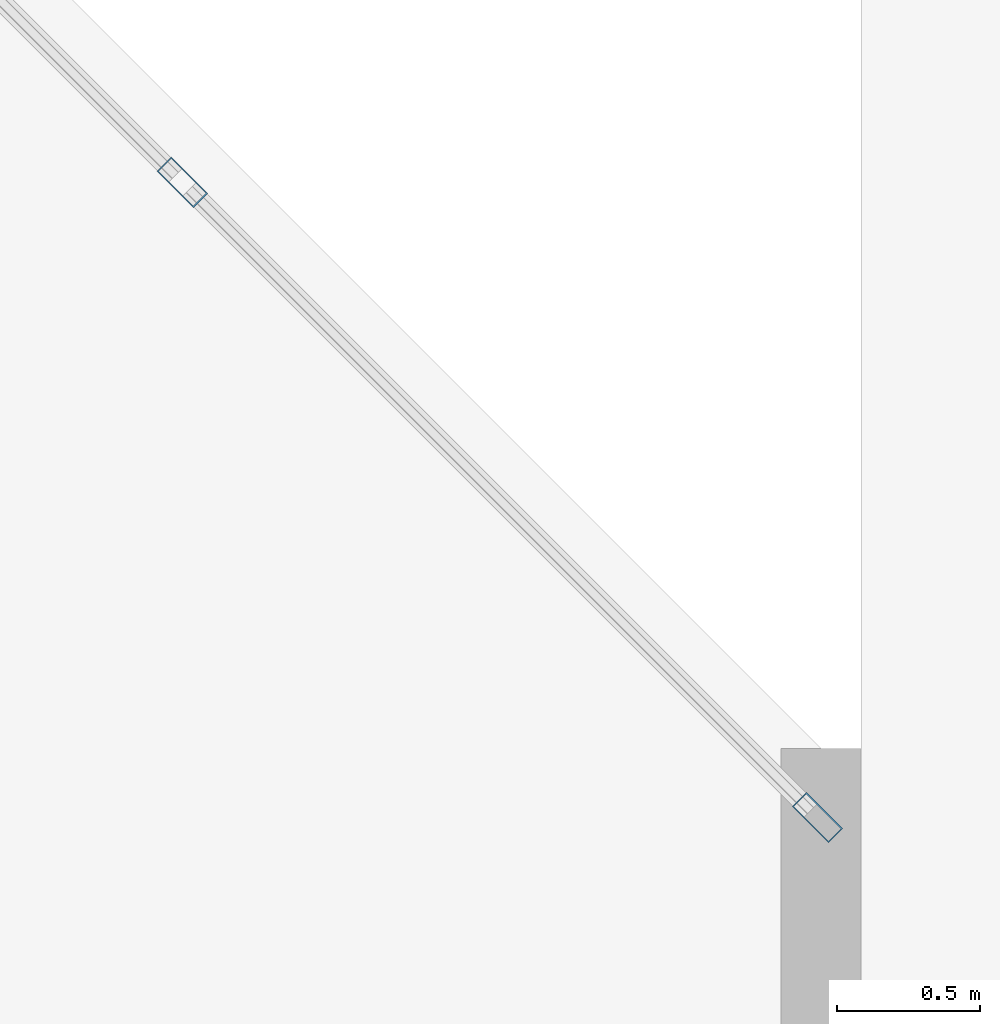
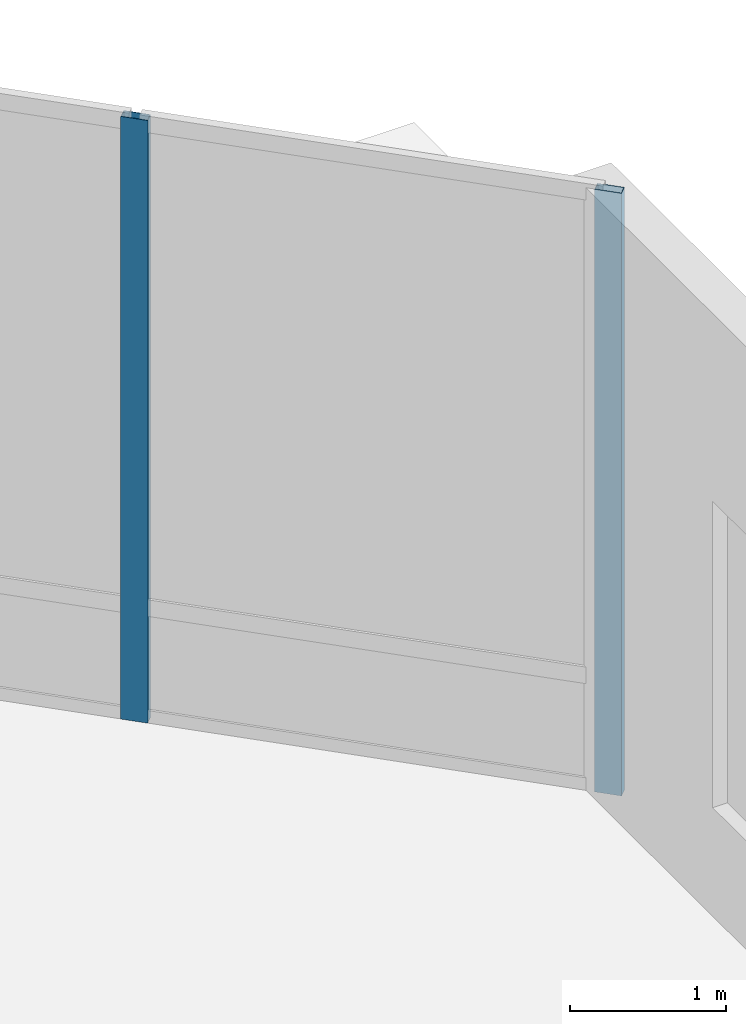
# One storey, part 8 of 23: 2 members, 1 element without a shape of its own.
"""IFC4 building model written with IfcOpenShell, lengths in metres."""

from ifc_helpers import new_model, si_unit, direction, frame, origin, origin_2d, place, context, subcontext, project, spatial, hollow_rectangle, extrude, material, layer, layer_set, material_profile, profile_set, type_object, element, aggregate, save


model = new_model("IFC4")

# Units and contexts
model_context = context("Model", 3, precision=1e-05, world=origin(), true_north=direction((0.0, 1.0)))
body_context = subcontext(model_context, "Body", "Model", "MODEL_VIEW")
ifc_project = project(units=[si_unit("LENGTHUNIT", "METRE"), si_unit("AREAUNIT", "SQUARE_METRE"), si_unit("VOLUMEUNIT", "CUBIC_METRE"), si_unit("PLANEANGLEUNIT", "RADIAN"), si_unit("MASSUNIT", "GRAM", prefix="KILO")], contexts=[model_context])

# Site, building, storey
site_placement = place(None, origin())
site = spatial("IfcSite", under=ifc_project, at=site_placement, CompositionType="ELEMENT")
building_placement = place(site_placement, origin())
building = spatial("IfcBuilding", under=site, at=building_placement, Name="Caelvoria Tower", CompositionType="ELEMENT")
storey_placement = place(building_placement, origin())
storey = spatial("IfcBuildingStorey", under=building, at=storey_placement, Name="L00", CompositionType="ELEMENT", Elevation=0.0)

# Curtain wall, members
ifc_material_1 = material(Name="Anodised Bronze Aluminium and Low-E Glass", Category="aluminium")
ifc_layer = layer(ifc_material_1, 0.199951171875, Name="Anodised Bronze Aluminium and Low-E Glass")
ifc_layer_set = layer_set([ifc_layer], Name="CW System 1 Podium Arcade Unitised Glazing - Anodised Bronze Aluminium and Low-E Glass")
curtain_wall_type = type_object("IfcCurtainWallType", Name="CW System 1 Podium Arcade Unitised Glazing", PredefinedType="NOTDEFINED", material=ifc_layer_set)
curtain_wall_placement = place(storey_placement, origin())
curtain_wall = element("IfcCurtainWall", 1, at=curtain_wall_placement, inside=storey, type_object=curtain_wall_type, Name="CW-01 Curtain Wall L00-E3", PredefinedType="NOTDEFINED")
ifc_material_2 = material(Name="Anodised Bronze Architectural Aluminium", Category="aluminium")
ifc_material_profile = material_profile(ifc_material_2, hollow_rectangle(XDim=0.070068359375, YDim=0.179931640625, WallThickness=0.00390625, at=origin_2d()), Name="Anodised Bronze Architectural Aluminium")
ifc_profile_set = profile_set([ifc_material_profile], Name="CW_MULL_70X180 - Anodised Bronze Architectural Aluminium")
member_type = type_object("IfcMemberType", Name="Curtain Wall Mullion 70x180 Bronze Aluminium", PredefinedType="MULLION", material=ifc_profile_set)
member_1_placement = place(storey_placement, frame((89.847900390625, 57.3974609375, 0.0), z_axis=(0.0, 0.0, 1.0), x_axis=(-0.707106781187, -0.707106781187, 0.0)))
member_1 = element("IfcMember", 2, at=member_1_placement, type_object=member_type, Name="CW-01 mullion 1", PredefinedType="MULLION", context=body_context, shape_type="SweptSolid", body=[
    extrude(hollow_rectangle(XDim=0.070068359375, YDim=0.179931640625, WallThickness=0.00390625, at=origin_2d()), origin(), (0.0, 0.0, 1.0), 4.719970703125),
])
member_2_placement = place(storey_placement, frame((87.622802734375, 59.622802734375, 0.0), z_axis=(0.0, 0.0, 1.0), x_axis=(-0.707106781187, -0.707106781187, 0.0)))
member_2 = element("IfcMember", 3, at=member_2_placement, type_object=member_type, Name="CW-01 mullion 2", PredefinedType="MULLION", context=body_context, shape_type="SweptSolid", body=[
    extrude(hollow_rectangle(XDim=0.070068359375, YDim=0.179931640625, WallThickness=0.00390625, at=origin_2d()), origin(), (0.0, 0.0, 1.0), 4.719970703125),
])
aggregate(curtain_wall, [member_1, member_2])

save(model, "model.ifc")
